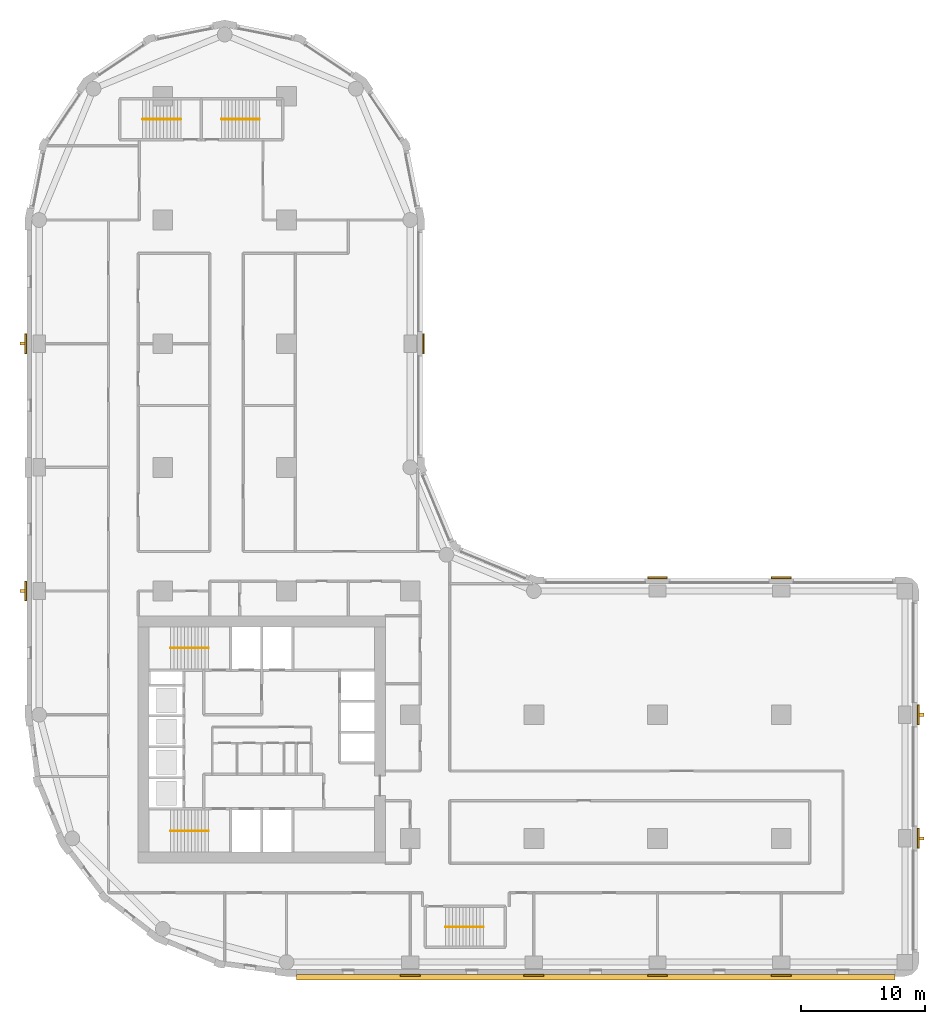
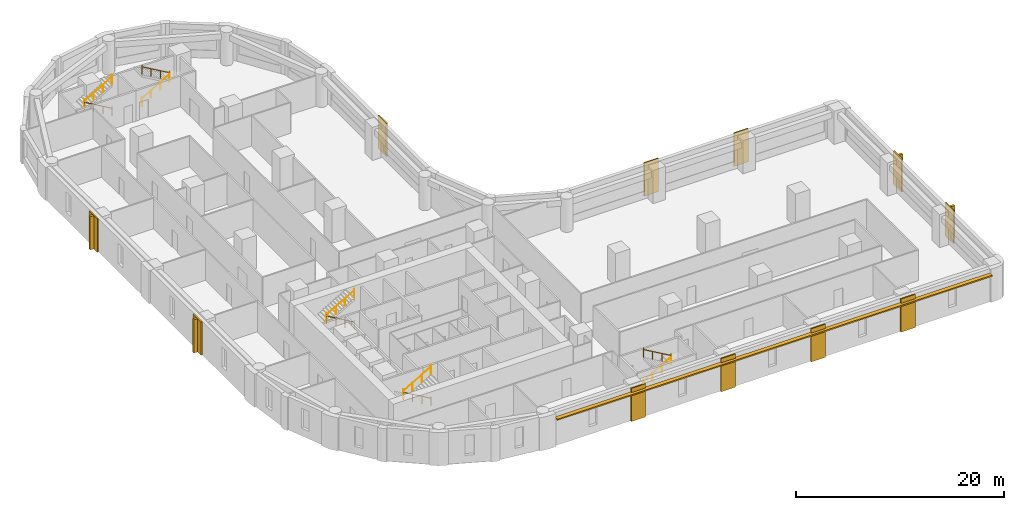
# One storey, part 9 of 10: 11 coverings, 10 railings, 5 shading devices.
"""IFC4 building model written with IfcOpenShell, lengths in metres."""

from ifc_helpers import new_model, si_unit, direction, frame, origin, origin_2d, place, context, subcontext, project, spatial, polyline, rectangle, circle, outline, extrude, material, layer, layer_set, type_object, element, save


model = new_model("IFC4")

# Units and contexts
model_context = context("Model", 3, precision=1e-05, world=origin(), true_north=direction((0.0, 1.0)))
body_context = subcontext(model_context, "Body", "Model", "MODEL_VIEW")
ifc_project = project(units=[si_unit("LENGTHUNIT", "METRE"), si_unit("AREAUNIT", "SQUARE_METRE"), si_unit("VOLUMEUNIT", "CUBIC_METRE"), si_unit("PLANEANGLEUNIT", "RADIAN"), si_unit("MASSUNIT", "GRAM", prefix="KILO")], contexts=[model_context])

# Site, building, storey
site_placement = place(None, origin())
site = spatial("IfcSite", under=ifc_project, at=site_placement, CompositionType="ELEMENT")
building_placement = place(site_placement, origin())
building = spatial("IfcBuilding", under=site, at=building_placement, Name="Qaws Garden Tower", CompositionType="ELEMENT")
storey_placement = place(building_placement, frame((0.0, 0.0, 97.800048828125)))
storey = spatial("IfcBuildingStorey", under=building, at=storey_placement, Name="L24", CompositionType="ELEMENT", Elevation=97.800048828125)

# Coverings
ifc_material_1 = material(Name="Clay facing brick masonry", Category="masonry")
ifc_layer_1 = layer(ifc_material_1, 0.14990234375)
ifc_layer_set_1 = layer_set([ifc_layer_1], Name="Clay facing brick masonry")
covering_type = type_object("IfcCoveringType", Name="Brick pilaster facing 150 x 1600", PredefinedType="CLADDING", material=ifc_layer_set_1)
placement = place(storey_placement, origin())
element("IfcCovering", 1, at=placement, inside=storey, type_object=covering_type, Name="E-L24-pier-01", PredefinedType="CLADDING", context=body_context, shape_type="SweptSolid", body=[
    extrude(outline(polyline([(29.199951171875, -1.0), (30.800048828125, -1.0), (30.800048828125, -1.14990234375), (29.199951171875, -1.14990234375), (29.199951171875, -1.0)])), origin(), (0.0, 0.0, 1.0), 3.89990234375),
])
element("IfcCovering", 2, at=placement, inside=storey, type_object=covering_type, Name="E-L24-pier-02", PredefinedType="CLADDING", context=body_context, shape_type="SweptSolid", body=[
    extrude(outline(polyline([(39.199951171875, -1.0), (40.800048828125, -1.0), (40.800048828125, -1.14990234375), (39.199951171875, -1.14990234375), (39.199951171875, -1.0)])), origin(), (0.0, 0.0, 1.0), 3.89990234375),
])
element("IfcCovering", 3, at=placement, inside=storey, type_object=covering_type, Name="E-L24-pier-03", PredefinedType="CLADDING", context=body_context, shape_type="SweptSolid", body=[
    extrude(outline(polyline([(49.199951171875, -1.0), (50.800048828125, -1.0), (50.800048828125, -1.14990234375), (49.199951171875, -1.14990234375), (49.199951171875, -1.0)])), origin(), (0.0, 0.0, 1.0), 3.89990234375),
])
element("IfcCovering", 4, at=placement, inside=storey, type_object=covering_type, Name="E-L24-pier-04", PredefinedType="CLADDING", context=body_context, shape_type="SweptSolid", body=[
    extrude(outline(polyline([(59.199951171875, -1.0), (60.800048828125, -1.0), (60.800048828125, -1.14990234375), (59.199951171875, -1.14990234375), (59.199951171875, -1.0)])), origin(), (0.0, 0.0, 1.0), 3.89990234375),
])
element("IfcCovering", 5, at=placement, inside=storey, type_object=covering_type, Name="E-L24-pier-06", PredefinedType="CLADDING", context=body_context, shape_type="SweptSolid", body=[
    extrude(outline(polyline([(71.0, 9.199951171875), (71.0, 10.800048828125), (71.14990234375, 10.800048828125), (71.14990234375, 9.199951171875), (71.0, 9.199951171875)])), origin(), (0.0, 0.0, 1.0), 3.89990234375),
])
element("IfcCovering", 6, at=placement, inside=storey, type_object=covering_type, Name="E-L24-pier-07", PredefinedType="CLADDING", context=body_context, shape_type="SweptSolid", body=[
    extrude(outline(polyline([(71.0, 19.199951171875), (71.0, 20.800048828125), (71.14990234375, 20.800048828125), (71.14990234375, 19.199951171875), (71.0, 19.199951171875)])), origin(), (0.0, 0.0, 1.0), 3.89990234375),
])
element("IfcCovering", 7, at=placement, inside=storey, type_object=covering_type, Name="E-L24-pier-09", PredefinedType="CLADDING", context=body_context, shape_type="SweptSolid", body=[
    extrude(outline(polyline([(60.800048828125, 31.0), (59.199951171875, 31.0), (59.199951171875, 31.14990234375), (60.800048828125, 31.14990234375), (60.800048828125, 31.0)])), origin(), (0.0, 0.0, 1.0), 3.89990234375),
])
element("IfcCovering", 8, at=placement, inside=storey, type_object=covering_type, Name="E-L24-pier-10", PredefinedType="CLADDING", context=body_context, shape_type="SweptSolid", body=[
    extrude(outline(polyline([(50.800048828125, 31.0), (49.199951171875, 31.0), (49.199951171875, 31.14990234375), (50.800048828125, 31.14990234375), (50.800048828125, 31.0)])), origin(), (0.0, 0.0, 1.0), 3.89990234375),
])
element("IfcCovering", 9, at=placement, inside=storey, type_object=covering_type, Name="E-L24-pier-14", PredefinedType="CLADDING", context=body_context, shape_type="SweptSolid", body=[
    extrude(outline(polyline([(31.0, 49.199951171875), (31.0, 50.800048828125), (31.14990234375, 50.800048828125), (31.14990234375, 49.199951171875), (31.0, 49.199951171875)])), origin(), (0.0, 0.0, 1.0), 3.89990234375),
])
element("IfcCovering", 10, at=placement, inside=storey, type_object=covering_type, Name="E-L24-pier-24", PredefinedType="CLADDING", context=body_context, shape_type="SweptSolid", body=[
    extrude(outline(polyline([(-1.0, 50.800048828125), (-1.0, 49.199951171875), (-1.14990234375, 49.199951171875), (-1.14990234375, 50.800048828125), (-1.0, 50.800048828125)])), origin(), (0.0, 0.0, 1.0), 3.89990234375),
])
element("IfcCovering", 11, at=placement, inside=storey, type_object=covering_type, Name="E-L24-pier-26", PredefinedType="CLADDING", context=body_context, shape_type="SweptSolid", body=[
    extrude(outline(polyline([(-1.0, 30.800048828125), (-1.0, 29.199951171875), (-1.14990234375, 29.199951171875), (-1.14990234375, 30.800048828125), (-1.0, 30.800048828125)])), origin(), (0.0, 0.0, 1.0), 3.89990234375),
])

# Shading devices
ifc_material_2 = material(Name="Clay facing brick masonry", Category="masonry")
ifc_layer_2 = layer(ifc_material_2, 0.14990234375)
ifc_layer_set_2 = layer_set([ifc_layer_2], Name="Clay facing brick masonry")
shading_device_type_1 = type_object("IfcShadingDeviceType", Name="Brick sunshade band 450 x 150", PredefinedType="JALOUSIE", material=ifc_layer_set_2)
shading_device_placement = place(storey_placement, frame((0.0, 0.0, 3.25)))
element("IfcShadingDevice", 12, at=shading_device_placement, inside=storey, type_object=shading_device_type_1, Name="SUNSHADE 00", PredefinedType="JALOUSIE", context=body_context, shape_type="SweptSolid", body=[
    extrude(outline(polyline([(20.800048828125, -1.0), (20.800048828125, -1.449951171875), (69.199951171875, -1.449951171875), (69.199951171875, -1.0), (60.800048828125, -1.0), (60.800048828125, -1.14990234375), (59.199951171875, -1.14990234375), (59.199951171875, -1.0), (50.800048828125, -1.0), (50.800048828125, -1.14990234375), (49.199951171875, -1.14990234375), (49.199951171875, -1.0), (40.800048828125, -1.0), (40.800048828125, -1.14990234375), (39.199951171875, -1.14990234375), (39.199951171875, -1.0), (30.800048828125, -1.0), (30.800048828125, -1.14990234375), (29.199951171875, -1.14990234375), (29.199951171875, -1.0), (20.800048828125, -1.0)])), origin(), (0.0, 0.0, 1.0), 0.14990234375),
])
ifc_material_3 = material(Name="Clay facing brick masonry", Category="masonry")
ifc_layer_3 = layer(ifc_material_3, 0.25)
ifc_layer_set_3 = layer_set([ifc_layer_3], Name="Clay facing brick masonry")
shading_device_type_2 = type_object("IfcShadingDeviceType", Name="Brick-faced fin 250 x 400", PredefinedType="USERDEFINED", material=ifc_layer_set_3)
for number, where, z_axis, x_axis, name in (
    (13, (71.35009765625, 10.0, 0.0), (0.0, 0.0, 1.0), (0.0, 1.0, 0.0), "FIN 06"),
    (14, (71.35009765625, 20.0, 0.0), (0.0, 0.0, 1.0), (0.0, 1.0, 0.0), "FIN 07"),
    (15, (-1.35009765625, 50.0, 0.0), (0.0, 0.0, 1.0), (0.0, -1.0, 0.0), "FIN 24"),
    (16, (-1.35009765625, 30.0, 0.0), (0.0, 0.0, 1.0), (0.0, -1.0, 0.0), "FIN 26"),
):
    element("IfcShadingDevice", number, at=place(storey_placement, frame(where, z_axis=z_axis, x_axis=x_axis)), inside=storey, type_object=shading_device_type_2, Name=name, ObjectType="FIN", PredefinedType="USERDEFINED", context=body_context, shape_type="SweptSolid", body=[
        extrude(rectangle(XDim=0.25, YDim=0.39990234375, at=origin_2d()), origin(), (0.0, 0.0, 1.0), 3.89990234375),
    ])

# Railings
ifc_material_4 = material(Name="Steel S355", Category="steel")
railing_type = type_object("IfcRailingType", Name="Stair handrail 900", PredefinedType="HANDRAIL", material=ifc_material_4)
railing_1_placement = place(storey_placement, frame((13.699951171875, 10.60009765625, 0.162353515625)))
element("IfcRailing", 17, at=railing_1_placement, inside=storey, type_object=railing_type, Name="Stair 1 handrail", PredefinedType="HANDRAIL", context=body_context, shape_type="SweptSolid", body=[
    extrude(circle(Radius=0.02392578125, at=origin_2d()), frame((0.0, 0.0, 0.8759765625), z_axis=(-0.864873446163, 0.0, 0.501989962173), x_axis=(0.0, -1.0, 0.0)), (0.0, 0.0, 1.0), 3.56103515625),
    extrude(circle(Radius=0.02099609375, at=origin_2d()), origin(), (0.0, 0.0, 1.0), 1.06201171875),
    extrude(circle(Radius=0.02099609375, at=origin_2d()), frame((-1.026611328125, 0.0, 0.595947265625)), (0.0, 0.0, 1.0), 0.851806640625),
    extrude(circle(Radius=0.02099609375, at=origin_2d()), frame((-2.05322265625, 0.0, 1.191650390625)), (0.0, 0.0, 1.0), 0.851806640625),
    extrude(circle(Radius=0.02099609375, at=origin_2d()), frame((-3.079833984375, 0.0, 1.78759765625)), (0.0, 0.0, 1.0), 1.06201171875),
])
railing_2_placement = place(storey_placement, frame((10.6201171875, 10.60009765625, 2.112548828125)))
element("IfcRailing", 18, at=railing_2_placement, inside=storey, type_object=railing_type, Name="Stair 1 handrail", PredefinedType="HANDRAIL", context=body_context, shape_type="SweptSolid", body=[
    extrude(circle(Radius=0.02392578125, at=origin_2d()), frame((0.0, 0.0, 0.8759765625), z_axis=(0.864903211148, 0.0, 0.501938676878), x_axis=(0.0, 1.0, 0.0)), (0.0, 0.0, 1.0), 3.560791015625),
    extrude(circle(Radius=0.02099609375, at=origin_2d()), origin(), (0.0, 0.0, 1.0), 1.06201171875),
    extrude(circle(Radius=0.02099609375, at=origin_2d()), frame((1.026611328125, 0.0, 0.595703125)), (0.0, 0.0, 1.0), 0.851806640625),
    extrude(circle(Radius=0.02099609375, at=origin_2d()), frame((2.05322265625, 0.0, 1.191650390625)), (0.0, 0.0, 1.0), 0.851806640625),
    extrude(circle(Radius=0.02099609375, at=origin_2d()), frame((3.079833984375, 0.0, 1.787353515625)), (0.0, 0.0, 1.0), 1.06201171875),
])
railing_3_placement = place(storey_placement, frame((13.699951171875, 25.39990234375, 0.162353515625)))
element("IfcRailing", 19, at=railing_3_placement, inside=storey, type_object=railing_type, Name="Stair 4 handrail", PredefinedType="HANDRAIL", context=body_context, shape_type="SweptSolid", body=[
    extrude(circle(Radius=0.02392578125, at=origin_2d()), frame((0.0, 0.0, 0.8759765625), z_axis=(-0.864873446163, 0.0, 0.501989962173), x_axis=(0.0, -1.0, 0.0)), (0.0, 0.0, 1.0), 3.56103515625),
    extrude(circle(Radius=0.02099609375, at=origin_2d()), origin(), (0.0, 0.0, 1.0), 1.06201171875),
    extrude(circle(Radius=0.02099609375, at=origin_2d()), frame((-1.026611328125, 0.0, 0.595947265625)), (0.0, 0.0, 1.0), 0.851806640625),
    extrude(circle(Radius=0.02099609375, at=origin_2d()), frame((-2.05322265625, 0.0, 1.191650390625)), (0.0, 0.0, 1.0), 0.851806640625),
    extrude(circle(Radius=0.02099609375, at=origin_2d()), frame((-3.079833984375, 0.0, 1.78759765625)), (0.0, 0.0, 1.0), 1.06201171875),
])
railing_4_placement = place(storey_placement, frame((10.6201171875, 25.39990234375, 2.112548828125)))
element("IfcRailing", 20, at=railing_4_placement, inside=storey, type_object=railing_type, Name="Stair 4 handrail", PredefinedType="HANDRAIL", context=body_context, shape_type="SweptSolid", body=[
    extrude(circle(Radius=0.02392578125, at=origin_2d()), frame((0.0, 0.0, 0.8759765625), z_axis=(0.864903211148, 0.0, 0.501938676878), x_axis=(0.0, 1.0, 0.0)), (0.0, 0.0, 1.0), 3.560791015625),
    extrude(circle(Radius=0.02099609375, at=origin_2d()), origin(), (0.0, 0.0, 1.0), 1.06201171875),
    extrude(circle(Radius=0.02099609375, at=origin_2d()), frame((1.026611328125, 0.0, 0.595703125)), (0.0, 0.0, 1.0), 0.851806640625),
    extrude(circle(Radius=0.02099609375, at=origin_2d()), frame((2.05322265625, 0.0, 1.191650390625)), (0.0, 0.0, 1.0), 0.851806640625),
    extrude(circle(Radius=0.02099609375, at=origin_2d()), frame((3.079833984375, 0.0, 1.787353515625)), (0.0, 0.0, 1.0), 1.06201171875),
])
railing_5_placement = place(storey_placement, frame((32.85009765625, 2.85009765625, 0.162353515625)))
element("IfcRailing", 21, at=railing_5_placement, inside=storey, type_object=railing_type, Name="Stair 5 handrail", PredefinedType="HANDRAIL", context=body_context, shape_type="SweptSolid", body=[
    extrude(circle(Radius=0.02392578125, at=origin_2d()), frame((0.0, 0.0, 0.8759765625), z_axis=(0.864873446163, 0.0, 0.501989962173), x_axis=(0.0, 1.0, 0.0)), (0.0, 0.0, 1.0), 3.56103515625),
    extrude(circle(Radius=0.02099609375, at=origin_2d()), origin(), (0.0, 0.0, 1.0), 1.06201171875),
    extrude(circle(Radius=0.02099609375, at=origin_2d()), frame((1.026611328125, 0.0, 0.595947265625)), (0.0, 0.0, 1.0), 0.851806640625),
    extrude(circle(Radius=0.02099609375, at=origin_2d()), frame((2.05322265625, 0.0, 1.191650390625)), (0.0, 0.0, 1.0), 0.851806640625),
    extrude(circle(Radius=0.02099609375, at=origin_2d()), frame((3.079833984375, 0.0, 1.78759765625)), (0.0, 0.0, 1.0), 1.06201171875),
])
railing_6_placement = place(storey_placement, frame((35.929931640625, 2.85009765625, 2.112548828125)))
element("IfcRailing", 22, at=railing_6_placement, inside=storey, type_object=railing_type, Name="Stair 5 handrail", PredefinedType="HANDRAIL", context=body_context, shape_type="SweptSolid", body=[
    extrude(circle(Radius=0.02392578125, at=origin_2d()), frame((0.0, 0.0, 0.8759765625), z_axis=(-0.864903211148, 0.0, 0.501938676878), x_axis=(0.0, -1.0, 0.0)), (0.0, 0.0, 1.0), 3.560791015625),
    extrude(circle(Radius=0.02099609375, at=origin_2d()), origin(), (0.0, 0.0, 1.0), 1.06201171875),
    extrude(circle(Radius=0.02099609375, at=origin_2d()), frame((-1.026611328125, 0.0, 0.595703125)), (0.0, 0.0, 1.0), 0.851806640625),
    extrude(circle(Radius=0.02099609375, at=origin_2d()), frame((-2.05322265625, 0.0, 1.191650390625)), (0.0, 0.0, 1.0), 0.851806640625),
    extrude(circle(Radius=0.02099609375, at=origin_2d()), frame((-3.079833984375, 0.0, 1.787353515625)), (0.0, 0.0, 1.0), 1.06201171875),
])
railing_7_placement = place(storey_placement, frame((11.449951171875, 68.14990234375, 0.162353515625)))
element("IfcRailing", 23, at=railing_7_placement, inside=storey, type_object=railing_type, Name="Stair 6 handrail", PredefinedType="HANDRAIL", context=body_context, shape_type="SweptSolid", body=[
    extrude(circle(Radius=0.02392578125, at=origin_2d()), frame((0.0, 0.0, 0.8759765625), z_axis=(-0.864873446163, 0.0, 0.501989962173), x_axis=(0.0, -1.0, 0.0)), (0.0, 0.0, 1.0), 3.56103515625),
    extrude(circle(Radius=0.02099609375, at=origin_2d()), origin(), (0.0, 0.0, 1.0), 1.06201171875),
    extrude(circle(Radius=0.02099609375, at=origin_2d()), frame((-1.026611328125, 0.0, 0.595947265625)), (0.0, 0.0, 1.0), 0.851806640625),
    extrude(circle(Radius=0.02099609375, at=origin_2d()), frame((-2.05322265625, 0.0, 1.191650390625)), (0.0, 0.0, 1.0), 0.851806640625),
    extrude(circle(Radius=0.02099609375, at=origin_2d()), frame((-3.079833984375, 0.0, 1.78759765625)), (0.0, 0.0, 1.0), 1.06201171875),
])
railing_8_placement = place(storey_placement, frame((8.3701171875, 68.14990234375, 2.112548828125)))
element("IfcRailing", 24, at=railing_8_placement, inside=storey, type_object=railing_type, Name="Stair 6 handrail", PredefinedType="HANDRAIL", context=body_context, shape_type="SweptSolid", body=[
    extrude(circle(Radius=0.02392578125, at=origin_2d()), frame((0.0, 0.0, 0.8759765625), z_axis=(0.864903211148, 0.0, 0.501938676878), x_axis=(0.0, 1.0, 0.0)), (0.0, 0.0, 1.0), 3.560791015625),
    extrude(circle(Radius=0.02099609375, at=origin_2d()), origin(), (0.0, 0.0, 1.0), 1.06201171875),
    extrude(circle(Radius=0.02099609375, at=origin_2d()), frame((1.026611328125, 0.0, 0.595703125)), (0.0, 0.0, 1.0), 0.851806640625),
    extrude(circle(Radius=0.02099609375, at=origin_2d()), frame((2.05322265625, 0.0, 1.191650390625)), (0.0, 0.0, 1.0), 0.851806640625),
    extrude(circle(Radius=0.02099609375, at=origin_2d()), frame((3.079833984375, 0.0, 1.787353515625)), (0.0, 0.0, 1.0), 1.06201171875),
])
railing_9_placement = place(storey_placement, frame((14.75, 68.14990234375, 0.162353515625)))
element("IfcRailing", 25, at=railing_9_placement, inside=storey, type_object=railing_type, Name="Stair 7 handrail", PredefinedType="HANDRAIL", context=body_context, shape_type="SweptSolid", body=[
    extrude(circle(Radius=0.02392578125, at=origin_2d()), frame((0.0, 0.0, 0.8759765625), z_axis=(0.864890721111, 0.0, 0.501960198159), x_axis=(0.0, 1.0, 0.0)), (0.0, 0.0, 1.0), 3.561279296875),
    extrude(circle(Radius=0.02099609375, at=origin_2d()), origin(), (0.0, 0.0, 1.0), 1.06201171875),
    extrude(circle(Radius=0.02099609375, at=origin_2d()), frame((1.026611328125, 0.0, 0.595947265625)), (0.0, 0.0, 1.0), 0.851806640625),
    extrude(circle(Radius=0.02099609375, at=origin_2d()), frame((2.053466796875, 0.0, 1.191650390625)), (0.0, 0.0, 1.0), 0.851806640625),
    extrude(circle(Radius=0.02099609375, at=origin_2d()), frame((3.080078125, 0.0, 1.78759765625)), (0.0, 0.0, 1.0), 1.06201171875),
])
railing_10_placement = place(storey_placement, frame((17.830078125, 68.14990234375, 2.112548828125)))
element("IfcRailing", 26, at=railing_10_placement, inside=storey, type_object=railing_type, Name="Stair 7 handrail", PredefinedType="HANDRAIL", context=body_context, shape_type="SweptSolid", body=[
    extrude(circle(Radius=0.02392578125, at=origin_2d()), frame((0.0, 0.0, 0.8759765625), z_axis=(-0.864920483161, 0.0, 0.501908913857), x_axis=(0.0, -1.0, 0.0)), (0.0, 0.0, 1.0), 3.56103515625),
    extrude(circle(Radius=0.02099609375, at=origin_2d()), origin(), (0.0, 0.0, 1.0), 1.06201171875),
    extrude(circle(Radius=0.02099609375, at=origin_2d()), frame((-1.026611328125, 0.0, 0.595703125)), (0.0, 0.0, 1.0), 0.851806640625),
    extrude(circle(Radius=0.02099609375, at=origin_2d()), frame((-2.053466796875, 0.0, 1.191650390625)), (0.0, 0.0, 1.0), 0.851806640625),
    extrude(circle(Radius=0.02099609375, at=origin_2d()), frame((-3.080078125, 0.0, 1.787353515625)), (0.0, 0.0, 1.0), 1.06201171875),
])

save(model, "model.ifc")
